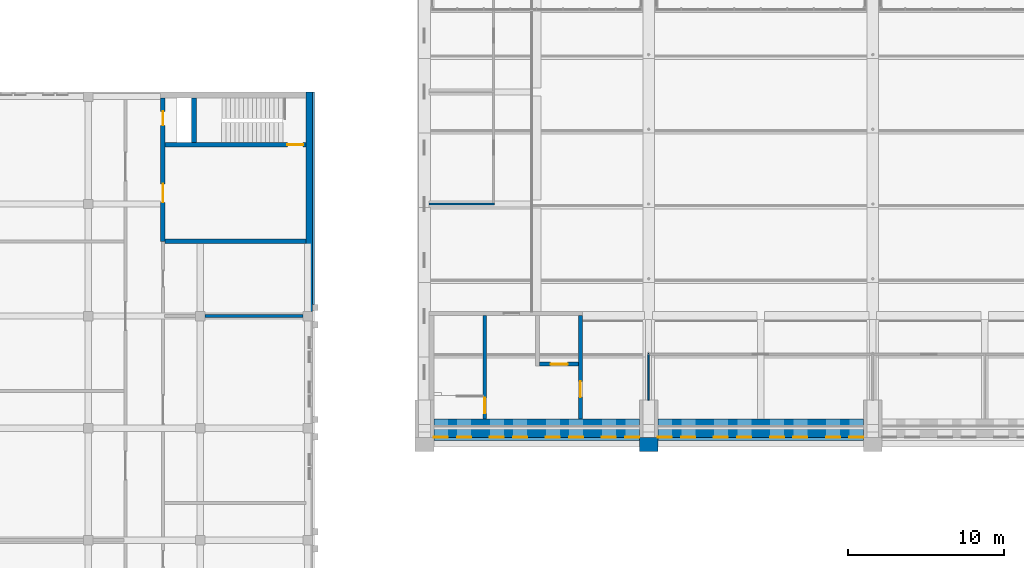
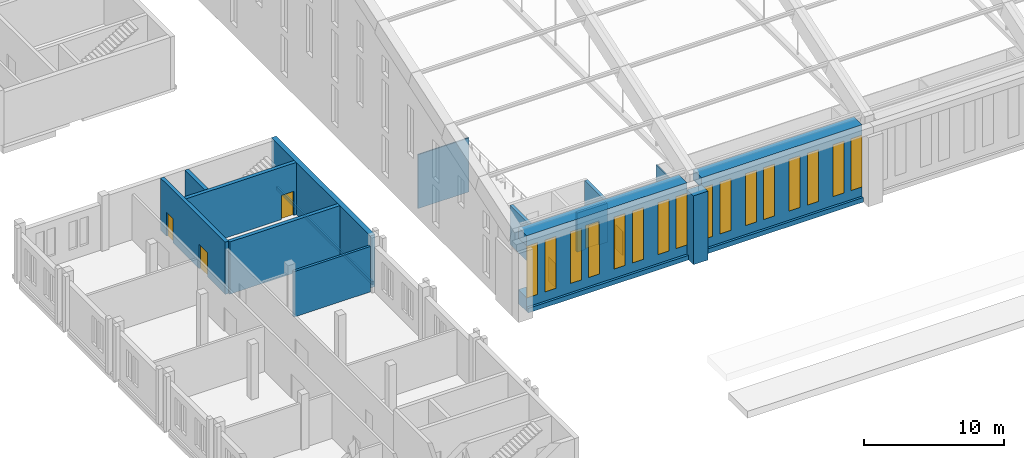
# One storey, part 123 of 149: 17 walls, 16 windows, 6 doors, 22 openings.
"""IFC4 building model written with IfcOpenShell, lengths in metres."""

from ifc_helpers import new_model, si_unit, direction, frame, frame_2d, origin, place, context, subcontext, project, spatial, rectangle, extrude, material, layer, layer_set, type_object, element, fill, save


model = new_model("IFC4")

# Units and contexts
model_context = context("Model", 3, precision=1e-05, world=origin(), true_north=direction((0.0, 1.0)))
body_context = subcontext(model_context, "Body", "Model", "MODEL_VIEW")
ifc_project = project(units=[si_unit("LENGTHUNIT", "METRE"), si_unit("AREAUNIT", "SQUARE_METRE"), si_unit("VOLUMEUNIT", "CUBIC_METRE"), si_unit("PLANEANGLEUNIT", "RADIAN"), si_unit("MASSUNIT", "GRAM", prefix="KILO")], contexts=[model_context])

# Site, building, storey
site_placement = place(None, origin())
site = spatial("IfcSite", under=ifc_project, at=site_placement, CompositionType="ELEMENT")
building_placement = place(site_placement, origin())
building = spatial("IfcBuilding", under=site, at=building_placement, Name="Alderwick Market Hall", CompositionType="ELEMENT")
storey_placement = place(building_placement, frame((0.0, 0.0, 9.60009765625)))
storey = spatial("IfcBuildingStorey", under=building, at=storey_placement, Name="L01", CompositionType="ELEMENT", Elevation=9.60009765625)

# Walls
ifc_material_1 = material(Name="Cast stone 5000 psi", Category="masonry")
ifc_layer_1 = layer(ifc_material_1, 0.14990234375)
ifc_layer_set_1 = layer_set([ifc_layer_1], Name="Cast stone 5000 psi")
wall_type_1 = type_object("IfcWallType", Name="B Cast Stone String Course 150", PredefinedType="SOLIDWALL", material=ifc_layer_set_1)
wall_1_placement = place(storey_placement, frame((43.27490234375, 58.35009765625, -0.150146484375), z_axis=(0.0, 0.0, 1.0), x_axis=(0.0, 1.0, 0.0)))
element("IfcWall", 1, at=wall_1_placement, inside=storey, type_object=wall_type_1, Name="B.S.string.E.08", PredefinedType="SOLIDWALL", context=body_context, shape_type="SweptSolid", body=[
    extrude(rectangle(XDim=13.64990234375, YDim=0.14990234375, at=frame_2d((6.824951171875, 0.0))), origin(), (0.0, 0.0, 1.0), 0.300048828125),
])
ifc_material_2 = material(Name="Concrete masonry 3000 psi", Category="masonry")
ifc_layer_2 = layer(ifc_material_2, 0.199951171875)
ifc_layer_set_2 = layer_set([ifc_layer_2], Name="Concrete masonry 3000 psi")
wall_type_2 = type_object("IfcWallType", Name="B Masonry Partition 200", PredefinedType="PARTITIONING", material=ifc_layer_set_2)
wall_2_placement = place(storey_placement, frame((36.300048828125, 57.60009765625, 0.0), z_axis=(0.0, 0.0, 1.0), x_axis=(1.0, 0.0, 0.0)))
element("IfcWall", 2, at=wall_2_placement, inside=storey, type_object=wall_type_2, Name="B.S.wall.L01.012", PredefinedType="PARTITIONING", context=body_context, shape_type="SweptSolid", body=[
    extrude(rectangle(XDim=6.300048828125, YDim=0.199951171875, at=frame_2d((3.14990234375, 0.0))), origin(), (0.0, 0.0, 1.0), 3.949951171875),
])
ifc_material_3 = material(Name="Concrete 5000 psi (f'c 35 MPa)", Category="concrete")
ifc_layer_3 = layer(ifc_material_3, 0.39990234375)
ifc_layer_set_3 = layer_set([ifc_layer_3], Name="Concrete 5000 psi (f'c 35 MPa)")
wall_type_3 = type_object("IfcWallType", Name="B RC Core Facade Wall 400", PredefinedType="SHEAR", material=ifc_layer_set_3)
wall_3_placement = place(storey_placement, frame((43.0, 57.89990234375, 0.0), z_axis=(0.0, 0.0, 1.0), x_axis=(0.0, 1.0, 0.0)))
element("IfcWall", 3, at=wall_3_placement, inside=storey, type_object=wall_type_3, Name="B.S.wall.L01.034", PredefinedType="SHEAR", context=body_context, shape_type="SweptSolid", body=[
    extrude(rectangle(XDim=14.10009765625, YDim=0.39990234375, at=frame_2d((7.050048828125, 0.0))), origin(), (0.0, 0.0, 1.0), 4.5498046875),
])
ifc_layer_4 = layer(ifc_material_3, 0.300048828125)
ifc_layer_set_4 = layer_set([ifc_layer_4], Name="Concrete 5000 psi (f'c 35 MPa)")
wall_type_4 = type_object("IfcWallType", Name="B RC Core Wall 300", PredefinedType="SHEAR", material=ifc_layer_set_4)
wall_4_placement = place(storey_placement, frame((33.75, 62.39990234375, 0.0), z_axis=(0.0, 0.0, 1.0), x_axis=(1.0, 0.0, 0.0)))
element("IfcWall", 4, at=wall_4_placement, inside=storey, type_object=wall_type_4, Name="B.S.wall.L01.014", PredefinedType="SHEAR", context=body_context, shape_type="SweptSolid", body=[
    extrude(rectangle(XDim=9.050048828125, YDim=0.300048828125, at=frame_2d((4.52490234375, 0.0))), origin(), (0.0, 0.0, 1.0), 4.5498046875),
])

# Wall, opening, door
wall_5_placement = place(storey_placement, frame((33.75, 68.60009765625, 0.0), z_axis=(0.0, 0.0, 1.0), x_axis=(1.0, 0.0, 0.0)))
wall_5 = element("IfcWall", 5, at=wall_5_placement, inside=storey, type_object=wall_type_4, Name="B.S.wall.L01.015", PredefinedType="SHEAR", context=body_context, shape_type="SweptSolid", body=[
    extrude(rectangle(XDim=9.050048828125, YDim=0.300048828125, at=frame_2d((4.52490234375, 0.0))), origin(), (0.0, 0.0, 1.0), 4.5498046875),
])
opening_1_placement = place(wall_5_placement, frame((7.85009765625, 0.0, 0.0)))
opening_1 = element("IfcOpeningElement", 6, at=opening_1_placement, cuts=wall_5, Name="Opening B-D125", PredefinedType="OPENING", context=body_context, shape_type="SweptSolid", body=[
    extrude(rectangle(XDim=1.0, YDim=2.10009765625, at=frame_2d((0.5, 1.050048828125))), frame((0.0, 0.159912109375, 0.0), z_axis=(0.0, -1.0, 0.0), x_axis=(1.0, 0.0, 0.0)), (0.0, 0.0, 1.0), 0.320068359375),
])
ifc_material_4 = material(Name="Hollow metal fire door and frame")
door_type_1 = type_object("IfcDoorType", Name="B Fire Door 1000x2100", OperationType="SINGLE_SWING_LEFT", PredefinedType="DOOR", material=ifc_material_4)
door_1_placement = place(opening_1_placement, origin())
door_1 = element("IfcDoor", 7, at=door_1_placement, inside=storey, type_object=door_type_1, Name="Stair S-2 lobby door", OperationType="SINGLE_SWING_LEFT", OverallHeight=2.10009765625, OverallWidth=1.0, PredefinedType="DOOR", context=body_context, shape_type="SweptSolid", body=[
    extrude(rectangle(XDim=1.0, YDim=2.10009765625, at=frame_2d((0.5, 1.050048828125))), frame((0.0, 0.02490234375, 0.0), z_axis=(0.0, -1.0, 0.0), x_axis=(1.0, 0.0, 0.0)), (0.0, 0.0, 1.0), 0.050048828125),
])
fill(opening_1, door_1)

# Wall, openings, doors
wall_6_placement = place(storey_placement, frame((33.60009765625, 62.39990234375, 0.0), z_axis=(0.0, 0.0, 1.0), x_axis=(0.0, 1.0, 0.0)))
wall_6 = element("IfcWall", 8, at=wall_6_placement, inside=storey, type_object=wall_type_4, Name="B.S.wall.L01.027", PredefinedType="SHEAR", context=body_context, shape_type="SweptSolid", body=[
    extrude(rectangle(XDim=9.2001953125, YDim=0.300048828125, at=frame_2d((4.60009765625, 0.0))), origin(), (0.0, 0.0, 1.0), 4.5498046875),
])
opening_2_placement = place(wall_6_placement, frame((2.5, 0.0, 0.0)))
opening_2 = element("IfcOpeningElement", 9, at=opening_2_placement, cuts=wall_6, Name="Opening B-D126", PredefinedType="OPENING", context=body_context, shape_type="SweptSolid", body=[
    extrude(rectangle(XDim=1.199951171875, YDim=2.10009765625, at=frame_2d((0.60009765625, 1.050048828125))), frame((0.0, 0.159912109375, 0.0), z_axis=(0.0, -1.0, 0.0), x_axis=(1.0, 0.0, 0.0)), (0.0, 0.0, 1.0), 0.320068359375),
])
opening_3_placement = place(wall_6_placement, frame((7.449951171875, 0.0, 0.0)))
opening_3 = element("IfcOpeningElement", 10, at=opening_3_placement, cuts=wall_6, Name="Opening B-D127", PredefinedType="OPENING", context=body_context, shape_type="SweptSolid", body=[
    extrude(rectangle(XDim=0.89990234375, YDim=2.10009765625, at=frame_2d((0.449951171875, 1.050048828125))), frame((0.0, 0.159912109375, 0.0), z_axis=(0.0, -1.0, 0.0), x_axis=(1.0, 0.0, 0.0)), (0.0, 0.0, 1.0), 0.320068359375),
])
door_type_2 = type_object("IfcDoorType", Name="B Fire Door 1200x2100", OperationType="SINGLE_SWING_LEFT", PredefinedType="DOOR", material=ifc_material_4)
door_2_placement = place(opening_2_placement, origin())
door_2 = element("IfcDoor", 11, at=door_2_placement, inside=storey, type_object=door_type_2, Name="Lobby S-2 corridor door", OperationType="SINGLE_SWING_RIGHT", OverallHeight=2.10009765625, OverallWidth=1.199951171875, PredefinedType="DOOR", context=body_context, shape_type="SweptSolid", body=[
    extrude(rectangle(XDim=1.199951171875, YDim=2.10009765625, at=frame_2d((0.60009765625, 1.050048828125))), frame((0.0, 0.02490234375, 0.0), z_axis=(0.0, -1.0, 0.0), x_axis=(1.0, 0.0, 0.0)), (0.0, 0.0, 1.0), 0.050048828125),
])
fill(opening_2, door_2)
door_type_3 = type_object("IfcDoorType", Name="B Fire Door 900x2100", OperationType="SINGLE_SWING_LEFT", PredefinedType="DOOR", material=ifc_material_4)
door_3_placement = place(opening_3_placement, origin())
door_3 = element("IfcDoor", 12, at=door_3_placement, inside=storey, type_object=door_type_3, Name="Riser S-2 access door", OperationType="SINGLE_SWING_LEFT", OverallHeight=2.10009765625, OverallWidth=0.89990234375, PredefinedType="DOOR", context=body_context, shape_type="SweptSolid", body=[
    extrude(rectangle(XDim=0.89990234375, YDim=2.10009765625, at=frame_2d((0.449951171875, 1.050048828125))), frame((0.0, 0.02490234375, 0.0), z_axis=(0.0, -1.0, 0.0), x_axis=(1.0, 0.0, 0.0)), (0.0, 0.0, 1.0), 0.050048828125),
])
fill(opening_3, door_3)

# Walls
wall_7_placement = place(storey_placement, frame((35.60009765625, 68.75, 0.0), z_axis=(0.0, 0.0, 1.0), x_axis=(0.0, 1.0, 0.0)))
element("IfcWall", 13, at=wall_7_placement, inside=storey, type_object=wall_type_4, Name="B.S.wall.L01.029", PredefinedType="SHEAR", context=body_context, shape_type="SweptSolid", body=[
    extrude(rectangle(XDim=2.85009765625, YDim=0.300048828125, at=frame_2d((1.425048828125, 0.0))), origin(), (0.0, 0.0, 1.0), 4.5498046875),
])
ifc_material_5 = material(Name="Face brick masonry, ASTM C216 grade SW (f'm 17 MPa)", Category="masonry")
ifc_layer_5 = layer(ifc_material_5, 0.89990234375)
ifc_layer_set_5 = layer_set([ifc_layer_5], Name="Face brick masonry, ASTM C216 grade SW (f'm 17 MPa)")
wall_type_5 = type_object("IfcWallType", Name="H Buttress pier 900", PredefinedType="SOLIDWALL", material=ifc_layer_set_5)
wall_8_placement = place(storey_placement, frame((64.199951171875, 49.35009765625, 0.0), z_axis=(0.0, 0.0, 1.0), x_axis=(1.0, 0.0, 0.0)))
element("IfcWall", 14, at=wall_8_placement, inside=storey, type_object=wall_type_5, Name="Buttress pier S2", PredefinedType="SOLIDWALL", context=body_context, shape_type="SweptSolid", body=[
    extrude(rectangle(XDim=1.199951171875, YDim=0.89990234375, at=frame_2d((0.60009765625, 0.0))), origin(), (0.0, 0.0, 1.0), 6.0),
])

# Wall, opening, door
ifc_layer_6 = layer(ifc_material_3, 0.25)
ifc_layer_set_6 = layer_set([ifc_layer_6], Name="Concrete 5000 psi (f'c 35 MPa)")
wall_type_6 = type_object("IfcWallType", Name="H Core wall 250", PredefinedType="SOLIDWALL", material=ifc_layer_set_6)
wall_9_placement = place(storey_placement, frame((60.425048828125, 51.0, 0.0), z_axis=(0.0, 0.0, 1.0), x_axis=(0.0, 1.0, 0.0)))
wall_9 = element("IfcWall", 15, at=wall_9_placement, inside=storey, type_object=wall_type_6, Name="Core wall H-SW", PredefinedType="SOLIDWALL", context=body_context, shape_type="SweptSolid", body=[
    extrude(rectangle(XDim=6.639892578125, YDim=0.25, at=frame_2d((3.31982421875, 0.0))), origin(), (0.0, 0.0, 1.0), 3.39990234375),
])
opening_4_placement = place(wall_9_placement, frame((1.39990234375, 0.0, 0.0)))
opening_4 = element("IfcOpeningElement", 16, at=opening_4_placement, cuts=wall_9, Name="Opening H-D023", PredefinedType="OPENING", context=body_context, shape_type="SweptSolid", body=[
    extrude(rectangle(XDim=1.0, YDim=2.10009765625, at=frame_2d((0.5, 1.050048828125))), frame((0.0, 0.135009765625, 0.0), z_axis=(0.0, -1.0, 0.0), x_axis=(1.0, 0.0, 0.0)), (0.0, 0.0, 1.0), 0.27001953125),
])
ifc_material_6 = material(Name="Steel, fire-rated", Category="steel")
door_type_4 = type_object("IfcDoorType", Name="H Stair door FD90 1000x2100", OperationType="SINGLE_SWING_LEFT", PredefinedType="DOOR", material=ifc_material_6)
door_4_placement = place(opening_4_placement, origin())
door_4 = element("IfcDoor", 17, at=door_4_placement, inside=storey, type_object=door_type_4, Name="Door H-D023", OperationType="SINGLE_SWING_LEFT", OverallHeight=2.10009765625, OverallWidth=1.0, PredefinedType="DOOR", context=body_context, shape_type="SweptSolid", body=[
    extrude(rectangle(XDim=1.0, YDim=2.10009765625, at=frame_2d((0.5, 1.050048828125))), frame((0.0, 0.02490234375, 0.0), z_axis=(0.0, -1.0, 0.0), x_axis=(1.0, 0.0, 0.0)), (0.0, 0.0, 1.0), 0.050048828125),
])
fill(opening_4, door_4)

wall_10_placement = place(storey_placement, frame((54.27490234375, 51.0, 0.0), z_axis=(0.0, 0.0, 1.0), x_axis=(0.0, 1.0, 0.0)))
wall_10 = element("IfcWall", 18, at=wall_10_placement, inside=storey, type_object=wall_type_6, Name="Core wall H-SW", PredefinedType="SOLIDWALL", context=body_context, shape_type="SweptSolid", body=[
    extrude(rectangle(XDim=6.639892578125, YDim=0.25, at=frame_2d((3.31982421875, 0.0))), origin(), (0.0, 0.0, 1.0), 3.39990234375),
])
opening_5_placement = place(wall_10_placement, frame((0.35009765625, 0.0, 0.0)))
opening_5 = element("IfcOpeningElement", 19, at=opening_5_placement, cuts=wall_10, Name="Opening H-D022", PredefinedType="OPENING", context=body_context, shape_type="SweptSolid", body=[
    extrude(rectangle(XDim=1.0, YDim=2.10009765625, at=frame_2d((0.5, 1.050048828125))), frame((0.0, 0.135009765625, 0.0), z_axis=(0.0, -1.0, 0.0), x_axis=(1.0, 0.0, 0.0)), (0.0, 0.0, 1.0), 0.27001953125),
])
door_5_placement = place(opening_5_placement, origin())
door_5 = element("IfcDoor", 20, at=door_5_placement, inside=storey, type_object=door_type_4, Name="Door H-D022", OperationType="SINGLE_SWING_LEFT", OverallHeight=2.10009765625, OverallWidth=1.0, PredefinedType="DOOR", context=body_context, shape_type="SweptSolid", body=[
    extrude(rectangle(XDim=1.0, YDim=2.10009765625, at=frame_2d((0.5, 1.050048828125))), frame((0.0, 0.02490234375, 0.0), z_axis=(0.0, -1.0, 0.0), x_axis=(1.0, 0.0, 0.0)), (0.0, 0.0, 1.0), 0.050048828125),
])
fill(opening_5, door_5)

wall_11_placement = place(storey_placement, frame((57.800048828125, 54.514892578125, 0.0), z_axis=(0.0, 0.0, 1.0), x_axis=(1.0, 0.0, 0.0)))
wall_11 = element("IfcWall", 21, at=wall_11_placement, inside=storey, type_object=wall_type_6, Name="Core wall H-SW", PredefinedType="SOLIDWALL", context=body_context, shape_type="SweptSolid", body=[
    extrude(rectangle(XDim=2.5, YDim=0.25, at=frame_2d((1.25, 0.0))), origin(), (0.0, 0.0, 1.0), 3.39990234375),
])
opening_6_placement = place(wall_11_placement, frame((0.699951171875, 0.0, 0.0)))
opening_6 = element("IfcOpeningElement", 22, at=opening_6_placement, cuts=wall_11, Name="Opening H-LD03", PredefinedType="OPENING", context=body_context, shape_type="SweptSolid", body=[
    extrude(rectangle(XDim=1.10009765625, YDim=2.10009765625, at=frame_2d((0.550048828125, 1.050048828125))), frame((0.0, 0.135009765625, 0.0), z_axis=(0.0, -1.0, 0.0), x_axis=(1.0, 0.0, 0.0)), (0.0, 0.0, 1.0), 0.27001953125),
])
ifc_material_7 = material(Name="Stainless steel", Category="steel")
door_type_5 = type_object("IfcDoorType", Name="H Lift landing door 1100x2100", OperationType="SLIDING_TO_LEFT", PredefinedType="DOOR", material=ifc_material_7)
door_6_placement = place(opening_6_placement, origin())
door_6 = element("IfcDoor", 23, at=door_6_placement, inside=storey, type_object=door_type_5, Name="Landing door H-LD03", OperationType="SLIDING_TO_LEFT", OverallHeight=2.10009765625, OverallWidth=1.10009765625, PredefinedType="DOOR", context=body_context, shape_type="SweptSolid", body=[
    extrude(rectangle(XDim=1.10009765625, YDim=2.10009765625, at=frame_2d((0.550048828125, 1.050048828125))), frame((0.0, 0.02490234375, 0.0), z_axis=(0.0, -1.0, 0.0), x_axis=(1.0, 0.0, 0.0)), (0.0, 0.0, 1.0), 0.050048828125),
])
fill(opening_6, door_6)

# Wall, openings, windows
ifc_layer_7 = layer(ifc_material_3, 1.199951171875)
ifc_layer_set_7 = layer_set([ifc_layer_7], Name="Concrete 5000 psi (f'c 35 MPa)")
wall_type_7 = type_object("IfcWallType", Name="H Long wall 1200", PredefinedType="SOLIDWALL", material=ifc_layer_set_7)
wall_12_placement = place(storey_placement, frame((51.0, 50.39990234375, 0.0), z_axis=(0.0, 0.0, 1.0), x_axis=(1.0, 0.0, 0.0)))
wall_12 = element("IfcWall", 24, at=wall_12_placement, inside=storey, type_object=wall_type_7, Name="Long wall S L01 1", PredefinedType="SOLIDWALL", context=body_context, shape_type="SweptSolid", body=[
    extrude(rectangle(XDim=13.199951171875, YDim=1.199951171875, at=frame_2d((6.60009765625, 0.0))), origin(), (0.0, 0.0, 1.0), 6.599853515625),
])
opening_7_placement = place(wall_12_placement, frame((0.0, 0.0, 1.199951171875)))
opening_7 = element("IfcOpeningElement", 25, at=opening_7_placement, cuts=wall_12, Name="Opening H-W053", PredefinedType="OPENING", context=body_context, shape_type="SweptSolid", body=[
    extrude(rectangle(XDim=0.89990234375, YDim=4.5, at=frame_2d((0.449951171875, 2.25))), frame((0.0, 0.60986328125, 0.0), z_axis=(0.0, -1.0, 0.0), x_axis=(1.0, 0.0, 0.0)), (0.0, 0.0, 1.0), 1.219970703125),
])
opening_8_placement = place(wall_12_placement, frame((1.5, 0.0, 1.199951171875)))
opening_8 = element("IfcOpeningElement", 26, at=opening_8_placement, cuts=wall_12, Name="Opening H-W054", PredefinedType="OPENING", context=body_context, shape_type="SweptSolid", body=[
    extrude(rectangle(XDim=0.89990234375, YDim=4.5, at=frame_2d((0.449951171875, 2.25))), frame((0.0, 0.60986328125, 0.0), z_axis=(0.0, -1.0, 0.0), x_axis=(1.0, 0.0, 0.0)), (0.0, 0.0, 1.0), 1.219970703125),
])
opening_9_placement = place(wall_12_placement, frame((3.60009765625, 0.0, 1.199951171875)))
opening_9 = element("IfcOpeningElement", 27, at=opening_9_placement, cuts=wall_12, Name="Opening H-W055", PredefinedType="OPENING", context=body_context, shape_type="SweptSolid", body=[
    extrude(rectangle(XDim=0.89990234375, YDim=4.5, at=frame_2d((0.449951171875, 2.25))), frame((0.0, 0.60986328125, 0.0), z_axis=(0.0, -1.0, 0.0), x_axis=(1.0, 0.0, 0.0)), (0.0, 0.0, 1.0), 1.219970703125),
])
opening_10_placement = place(wall_12_placement, frame((5.10009765625, 0.0, 1.199951171875)))
opening_10 = element("IfcOpeningElement", 28, at=opening_10_placement, cuts=wall_12, Name="Opening H-W056", PredefinedType="OPENING", context=body_context, shape_type="SweptSolid", body=[
    extrude(rectangle(XDim=0.89990234375, YDim=4.5, at=frame_2d((0.449951171875, 2.25))), frame((0.0, 0.60986328125, 0.0), z_axis=(0.0, -1.0, 0.0), x_axis=(1.0, 0.0, 0.0)), (0.0, 0.0, 1.0), 1.219970703125),
])
opening_11_placement = place(wall_12_placement, frame((7.199951171875, 0.0, 1.199951171875)))
opening_11 = element("IfcOpeningElement", 29, at=opening_11_placement, cuts=wall_12, Name="Opening H-W057", PredefinedType="OPENING", context=body_context, shape_type="SweptSolid", body=[
    extrude(rectangle(XDim=0.89990234375, YDim=4.5, at=frame_2d((0.449951171875, 2.25))), frame((0.0, 0.60986328125, 0.0), z_axis=(0.0, -1.0, 0.0), x_axis=(1.0, 0.0, 0.0)), (0.0, 0.0, 1.0), 1.219970703125),
])
opening_12_placement = place(wall_12_placement, frame((8.699951171875, 0.0, 1.199951171875)))
opening_12 = element("IfcOpeningElement", 30, at=opening_12_placement, cuts=wall_12, Name="Opening H-W058", PredefinedType="OPENING", context=body_context, shape_type="SweptSolid", body=[
    extrude(rectangle(XDim=0.89990234375, YDim=4.5, at=frame_2d((0.449951171875, 2.25))), frame((0.0, 0.60986328125, 0.0), z_axis=(0.0, -1.0, 0.0), x_axis=(1.0, 0.0, 0.0)), (0.0, 0.0, 1.0), 1.219970703125),
])
opening_13_placement = place(wall_12_placement, frame((10.800048828125, 0.0, 1.199951171875)))
opening_13 = element("IfcOpeningElement", 31, at=opening_13_placement, cuts=wall_12, Name="Opening H-W059", PredefinedType="OPENING", context=body_context, shape_type="SweptSolid", body=[
    extrude(rectangle(XDim=0.89990234375, YDim=4.5, at=frame_2d((0.449951171875, 2.25))), frame((0.0, 0.60986328125, 0.0), z_axis=(0.0, -1.0, 0.0), x_axis=(1.0, 0.0, 0.0)), (0.0, 0.0, 1.0), 1.219970703125),
])
opening_14_placement = place(wall_12_placement, frame((12.300048828125, 0.0, 1.199951171875)))
opening_14 = element("IfcOpeningElement", 32, at=opening_14_placement, cuts=wall_12, Name="Opening H-W060", PredefinedType="OPENING", context=body_context, shape_type="SweptSolid", body=[
    extrude(rectangle(XDim=0.89990234375, YDim=4.5, at=frame_2d((0.449951171875, 2.25))), frame((0.0, 0.60986328125, 0.0), z_axis=(0.0, -1.0, 0.0), x_axis=(1.0, 0.0, 0.0)), (0.0, 0.0, 1.0), 1.219970703125),
])
ifc_material_8 = material(Name="Aluminium frame with insulated glass", Category="aluminium")
window_type = type_object("IfcWindowType", Name="H Window 900x4500", PartitioningType="SINGLE_PANEL", PredefinedType="WINDOW", material=ifc_material_8)
window_1_placement = place(opening_7_placement, origin())
window_1 = element("IfcWindow", 33, at=window_1_placement, inside=storey, type_object=window_type, Name="Window H-W053", OverallHeight=4.5, OverallWidth=0.89990234375, PartitioningType="SINGLE_PANEL", PredefinedType="WINDOW", context=body_context, shape_type="SweptSolid", body=[
    extrude(rectangle(XDim=0.89990234375, YDim=4.5, at=frame_2d((0.449951171875, 2.25))), frame((0.0, -0.550048828125, 0.0), z_axis=(0.0, -1.0, 0.0), x_axis=(1.0, 0.0, 0.0)), (0.0, 0.0, 1.0), 0.06005859375),
])
fill(opening_7, window_1)
window_2_placement = place(opening_8_placement, origin())
window_2 = element("IfcWindow", 34, at=window_2_placement, inside=storey, type_object=window_type, Name="Window H-W054", OverallHeight=4.5, OverallWidth=0.89990234375, PartitioningType="SINGLE_PANEL", PredefinedType="WINDOW", context=body_context, shape_type="SweptSolid", body=[
    extrude(rectangle(XDim=0.89990234375, YDim=4.5, at=frame_2d((0.449951171875, 2.25))), frame((0.0, -0.550048828125, 0.0), z_axis=(0.0, -1.0, 0.0), x_axis=(1.0, 0.0, 0.0)), (0.0, 0.0, 1.0), 0.06005859375),
])
fill(opening_8, window_2)
window_3_placement = place(opening_9_placement, origin())
window_3 = element("IfcWindow", 35, at=window_3_placement, inside=storey, type_object=window_type, Name="Window H-W055", OverallHeight=4.5, OverallWidth=0.89990234375, PartitioningType="SINGLE_PANEL", PredefinedType="WINDOW", context=body_context, shape_type="SweptSolid", body=[
    extrude(rectangle(XDim=0.89990234375, YDim=4.5, at=frame_2d((0.449951171875, 2.25))), frame((0.0, -0.550048828125, 0.0), z_axis=(0.0, -1.0, 0.0), x_axis=(1.0, 0.0, 0.0)), (0.0, 0.0, 1.0), 0.06005859375),
])
fill(opening_9, window_3)
window_4_placement = place(opening_10_placement, origin())
window_4 = element("IfcWindow", 36, at=window_4_placement, inside=storey, type_object=window_type, Name="Window H-W056", OverallHeight=4.5, OverallWidth=0.89990234375, PartitioningType="SINGLE_PANEL", PredefinedType="WINDOW", context=body_context, shape_type="SweptSolid", body=[
    extrude(rectangle(XDim=0.89990234375, YDim=4.5, at=frame_2d((0.449951171875, 2.25))), frame((0.0, -0.550048828125, 0.0), z_axis=(0.0, -1.0, 0.0), x_axis=(1.0, 0.0, 0.0)), (0.0, 0.0, 1.0), 0.06005859375),
])
fill(opening_10, window_4)
window_5_placement = place(opening_11_placement, origin())
window_5 = element("IfcWindow", 37, at=window_5_placement, inside=storey, type_object=window_type, Name="Window H-W057", OverallHeight=4.5, OverallWidth=0.89990234375, PartitioningType="SINGLE_PANEL", PredefinedType="WINDOW", context=body_context, shape_type="SweptSolid", body=[
    extrude(rectangle(XDim=0.89990234375, YDim=4.5, at=frame_2d((0.449951171875, 2.25))), frame((0.0, -0.550048828125, 0.0), z_axis=(0.0, -1.0, 0.0), x_axis=(1.0, 0.0, 0.0)), (0.0, 0.0, 1.0), 0.06005859375),
])
fill(opening_11, window_5)
window_6_placement = place(opening_12_placement, origin())
window_6 = element("IfcWindow", 38, at=window_6_placement, inside=storey, type_object=window_type, Name="Window H-W058", OverallHeight=4.5, OverallWidth=0.89990234375, PartitioningType="SINGLE_PANEL", PredefinedType="WINDOW", context=body_context, shape_type="SweptSolid", body=[
    extrude(rectangle(XDim=0.89990234375, YDim=4.5, at=frame_2d((0.449951171875, 2.25))), frame((0.0, -0.550048828125, 0.0), z_axis=(0.0, -1.0, 0.0), x_axis=(1.0, 0.0, 0.0)), (0.0, 0.0, 1.0), 0.06005859375),
])
fill(opening_12, window_6)
window_7_placement = place(opening_13_placement, origin())
window_7 = element("IfcWindow", 39, at=window_7_placement, inside=storey, type_object=window_type, Name="Window H-W059", OverallHeight=4.5, OverallWidth=0.89990234375, PartitioningType="SINGLE_PANEL", PredefinedType="WINDOW", context=body_context, shape_type="SweptSolid", body=[
    extrude(rectangle(XDim=0.89990234375, YDim=4.5, at=frame_2d((0.449951171875, 2.25))), frame((0.0, -0.550048828125, 0.0), z_axis=(0.0, -1.0, 0.0), x_axis=(1.0, 0.0, 0.0)), (0.0, 0.0, 1.0), 0.06005859375),
])
fill(opening_13, window_7)
window_8_placement = place(opening_14_placement, origin())
window_8 = element("IfcWindow", 40, at=window_8_placement, inside=storey, type_object=window_type, Name="Window H-W060", OverallHeight=4.5, OverallWidth=0.89990234375, PartitioningType="SINGLE_PANEL", PredefinedType="WINDOW", context=body_context, shape_type="SweptSolid", body=[
    extrude(rectangle(XDim=0.89990234375, YDim=4.5, at=frame_2d((0.449951171875, 2.25))), frame((0.0, -0.550048828125, 0.0), z_axis=(0.0, -1.0, 0.0), x_axis=(1.0, 0.0, 0.0)), (0.0, 0.0, 1.0), 0.06005859375),
])
fill(opening_14, window_8)

wall_13_placement = place(storey_placement, frame((65.39990234375, 50.39990234375, 0.0), z_axis=(0.0, 0.0, 1.0), x_axis=(1.0, 0.0, 0.0)))
wall_13 = element("IfcWall", 41, at=wall_13_placement, inside=storey, type_object=wall_type_7, Name="Long wall S L01 2", PredefinedType="SOLIDWALL", context=body_context, shape_type="SweptSolid", body=[
    extrude(rectangle(XDim=13.2001953125, YDim=1.199951171875, at=frame_2d((6.60009765625, 0.0))), origin(), (0.0, 0.0, 1.0), 6.599853515625),
])
opening_15_placement = place(wall_13_placement, frame((0.0, 0.0, 1.199951171875)))
opening_15 = element("IfcOpeningElement", 42, at=opening_15_placement, cuts=wall_13, Name="Opening H-W061", PredefinedType="OPENING", context=body_context, shape_type="SweptSolid", body=[
    extrude(rectangle(XDim=0.89990234375, YDim=4.5, at=frame_2d((0.449951171875, 2.25))), frame((0.0, 0.60986328125, 0.0), z_axis=(0.0, -1.0, 0.0), x_axis=(1.0, 0.0, 0.0)), (0.0, 0.0, 1.0), 1.219970703125),
])
opening_16_placement = place(wall_13_placement, frame((1.5, 0.0, 1.199951171875)))
opening_16 = element("IfcOpeningElement", 43, at=opening_16_placement, cuts=wall_13, Name="Opening H-W062", PredefinedType="OPENING", context=body_context, shape_type="SweptSolid", body=[
    extrude(rectangle(XDim=0.89990234375, YDim=4.5, at=frame_2d((0.449951171875, 2.25))), frame((0.0, 0.60986328125, 0.0), z_axis=(0.0, -1.0, 0.0), x_axis=(1.0, 0.0, 0.0)), (0.0, 0.0, 1.0), 1.219970703125),
])
opening_17_placement = place(wall_13_placement, frame((3.60009765625, 0.0, 1.199951171875)))
opening_17 = element("IfcOpeningElement", 44, at=opening_17_placement, cuts=wall_13, Name="Opening H-W063", PredefinedType="OPENING", context=body_context, shape_type="SweptSolid", body=[
    extrude(rectangle(XDim=0.89990234375, YDim=4.5, at=frame_2d((0.449951171875, 2.25))), frame((0.0, 0.60986328125, 0.0), z_axis=(0.0, -1.0, 0.0), x_axis=(1.0, 0.0, 0.0)), (0.0, 0.0, 1.0), 1.219970703125),
])
opening_18_placement = place(wall_13_placement, frame((5.10009765625, 0.0, 1.199951171875)))
opening_18 = element("IfcOpeningElement", 45, at=opening_18_placement, cuts=wall_13, Name="Opening H-W064", PredefinedType="OPENING", context=body_context, shape_type="SweptSolid", body=[
    extrude(rectangle(XDim=0.89990234375, YDim=4.5, at=frame_2d((0.449951171875, 2.25))), frame((0.0, 0.60986328125, 0.0), z_axis=(0.0, -1.0, 0.0), x_axis=(1.0, 0.0, 0.0)), (0.0, 0.0, 1.0), 1.219970703125),
])
opening_19_placement = place(wall_13_placement, frame((7.199951171875, 0.0, 1.199951171875)))
opening_19 = element("IfcOpeningElement", 46, at=opening_19_placement, cuts=wall_13, Name="Opening H-W065", PredefinedType="OPENING", context=body_context, shape_type="SweptSolid", body=[
    extrude(rectangle(XDim=0.89990234375, YDim=4.5, at=frame_2d((0.449951171875, 2.25))), frame((0.0, 0.60986328125, 0.0), z_axis=(0.0, -1.0, 0.0), x_axis=(1.0, 0.0, 0.0)), (0.0, 0.0, 1.0), 1.219970703125),
])
opening_20_placement = place(wall_13_placement, frame((8.699951171875, 0.0, 1.199951171875)))
opening_20 = element("IfcOpeningElement", 47, at=opening_20_placement, cuts=wall_13, Name="Opening H-W066", PredefinedType="OPENING", context=body_context, shape_type="SweptSolid", body=[
    extrude(rectangle(XDim=0.89990234375, YDim=4.5, at=frame_2d((0.449951171875, 2.25))), frame((0.0, 0.60986328125, 0.0), z_axis=(0.0, -1.0, 0.0), x_axis=(1.0, 0.0, 0.0)), (0.0, 0.0, 1.0), 1.219970703125),
])
opening_21_placement = place(wall_13_placement, frame((10.800048828125, 0.0, 1.199951171875)))
opening_21 = element("IfcOpeningElement", 48, at=opening_21_placement, cuts=wall_13, Name="Opening H-W067", PredefinedType="OPENING", context=body_context, shape_type="SweptSolid", body=[
    extrude(rectangle(XDim=0.89990234375, YDim=4.5, at=frame_2d((0.449951171875, 2.25))), frame((0.0, 0.60986328125, 0.0), z_axis=(0.0, -1.0, 0.0), x_axis=(1.0, 0.0, 0.0)), (0.0, 0.0, 1.0), 1.219970703125),
])
opening_22_placement = place(wall_13_placement, frame((12.300048828125, 0.0, 1.199951171875)))
opening_22 = element("IfcOpeningElement", 49, at=opening_22_placement, cuts=wall_13, Name="Opening H-W068", PredefinedType="OPENING", context=body_context, shape_type="SweptSolid", body=[
    extrude(rectangle(XDim=0.89990234375, YDim=4.5, at=frame_2d((0.449951171875, 2.25))), frame((0.0, 0.60986328125, 0.0), z_axis=(0.0, -1.0, 0.0), x_axis=(1.0, 0.0, 0.0)), (0.0, 0.0, 1.0), 1.219970703125),
])
window_9_placement = place(opening_15_placement, origin())
window_9 = element("IfcWindow", 50, at=window_9_placement, inside=storey, type_object=window_type, Name="Window H-W061", OverallHeight=4.5, OverallWidth=0.89990234375, PartitioningType="SINGLE_PANEL", PredefinedType="WINDOW", context=body_context, shape_type="SweptSolid", body=[
    extrude(rectangle(XDim=0.89990234375, YDim=4.5, at=frame_2d((0.449951171875, 2.25))), frame((0.0, -0.550048828125, 0.0), z_axis=(0.0, -1.0, 0.0), x_axis=(1.0, 0.0, 0.0)), (0.0, 0.0, 1.0), 0.06005859375),
])
fill(opening_15, window_9)
window_10_placement = place(opening_16_placement, origin())
window_10 = element("IfcWindow", 51, at=window_10_placement, inside=storey, type_object=window_type, Name="Window H-W062", OverallHeight=4.5, OverallWidth=0.89990234375, PartitioningType="SINGLE_PANEL", PredefinedType="WINDOW", context=body_context, shape_type="SweptSolid", body=[
    extrude(rectangle(XDim=0.89990234375, YDim=4.5, at=frame_2d((0.449951171875, 2.25))), frame((0.0, -0.550048828125, 0.0), z_axis=(0.0, -1.0, 0.0), x_axis=(1.0, 0.0, 0.0)), (0.0, 0.0, 1.0), 0.06005859375),
])
fill(opening_16, window_10)
window_11_placement = place(opening_17_placement, origin())
window_11 = element("IfcWindow", 52, at=window_11_placement, inside=storey, type_object=window_type, Name="Window H-W063", OverallHeight=4.5, OverallWidth=0.89990234375, PartitioningType="SINGLE_PANEL", PredefinedType="WINDOW", context=body_context, shape_type="SweptSolid", body=[
    extrude(rectangle(XDim=0.89990234375, YDim=4.5, at=frame_2d((0.449951171875, 2.25))), frame((0.0, -0.550048828125, 0.0), z_axis=(0.0, -1.0, 0.0), x_axis=(1.0, 0.0, 0.0)), (0.0, 0.0, 1.0), 0.06005859375),
])
fill(opening_17, window_11)
window_12_placement = place(opening_18_placement, origin())
window_12 = element("IfcWindow", 53, at=window_12_placement, inside=storey, type_object=window_type, Name="Window H-W064", OverallHeight=4.5, OverallWidth=0.89990234375, PartitioningType="SINGLE_PANEL", PredefinedType="WINDOW", context=body_context, shape_type="SweptSolid", body=[
    extrude(rectangle(XDim=0.89990234375, YDim=4.5, at=frame_2d((0.449951171875, 2.25))), frame((0.0, -0.550048828125, 0.0), z_axis=(0.0, -1.0, 0.0), x_axis=(1.0, 0.0, 0.0)), (0.0, 0.0, 1.0), 0.06005859375),
])
fill(opening_18, window_12)
window_13_placement = place(opening_19_placement, origin())
window_13 = element("IfcWindow", 54, at=window_13_placement, inside=storey, type_object=window_type, Name="Window H-W065", OverallHeight=4.5, OverallWidth=0.89990234375, PartitioningType="SINGLE_PANEL", PredefinedType="WINDOW", context=body_context, shape_type="SweptSolid", body=[
    extrude(rectangle(XDim=0.89990234375, YDim=4.5, at=frame_2d((0.449951171875, 2.25))), frame((0.0, -0.550048828125, 0.0), z_axis=(0.0, -1.0, 0.0), x_axis=(1.0, 0.0, 0.0)), (0.0, 0.0, 1.0), 0.06005859375),
])
fill(opening_19, window_13)
window_14_placement = place(opening_20_placement, origin())
window_14 = element("IfcWindow", 55, at=window_14_placement, inside=storey, type_object=window_type, Name="Window H-W066", OverallHeight=4.5, OverallWidth=0.89990234375, PartitioningType="SINGLE_PANEL", PredefinedType="WINDOW", context=body_context, shape_type="SweptSolid", body=[
    extrude(rectangle(XDim=0.89990234375, YDim=4.5, at=frame_2d((0.449951171875, 2.25))), frame((0.0, -0.550048828125, 0.0), z_axis=(0.0, -1.0, 0.0), x_axis=(1.0, 0.0, 0.0)), (0.0, 0.0, 1.0), 0.06005859375),
])
fill(opening_20, window_14)
window_15_placement = place(opening_21_placement, origin())
window_15 = element("IfcWindow", 56, at=window_15_placement, inside=storey, type_object=window_type, Name="Window H-W067", OverallHeight=4.5, OverallWidth=0.89990234375, PartitioningType="SINGLE_PANEL", PredefinedType="WINDOW", context=body_context, shape_type="SweptSolid", body=[
    extrude(rectangle(XDim=0.89990234375, YDim=4.5, at=frame_2d((0.449951171875, 2.25))), frame((0.0, -0.550048828125, 0.0), z_axis=(0.0, -1.0, 0.0), x_axis=(1.0, 0.0, 0.0)), (0.0, 0.0, 1.0), 0.06005859375),
])
fill(opening_21, window_15)
window_16_placement = place(opening_22_placement, origin())
window_16 = element("IfcWindow", 57, at=window_16_placement, inside=storey, type_object=window_type, Name="Window H-W068", OverallHeight=4.5, OverallWidth=0.89990234375, PartitioningType="SINGLE_PANEL", PredefinedType="WINDOW", context=body_context, shape_type="SweptSolid", body=[
    extrude(rectangle(XDim=0.89990234375, YDim=4.5, at=frame_2d((0.449951171875, 2.25))), frame((0.0, -0.550048828125, 0.0), z_axis=(0.0, -1.0, 0.0), x_axis=(1.0, 0.0, 0.0)), (0.0, 0.0, 1.0), 0.06005859375),
])
fill(opening_22, window_16)

# Walls
ifc_material_9 = material(Name="Gypsum board partition")
ifc_layer_8 = layer(ifc_material_9, 0.10009765625)
ifc_layer_set_8 = layer_set([ifc_layer_8], Name="Gypsum board partition")
wall_type_8 = type_object("IfcWallType", Name="H Partition 100", PredefinedType="PARTITIONING", material=ifc_layer_set_8)
wall_14_placement = place(storey_placement, frame((64.800048828125, 52.199951171875, 0.0), z_axis=(0.0, 0.0, 1.0), x_axis=(0.0, 1.0, 0.0)))
element("IfcWall", 58, at=wall_14_placement, inside=storey, type_object=wall_type_8, Name="Partition", PredefinedType="PARTITIONING", context=body_context, shape_type="SweptSolid", body=[
    extrude(rectangle(XDim=3.0, YDim=0.10009765625, at=frame_2d((1.5, 0.0))), origin(), (0.0, 0.0, 1.0), 4.699951171875),
])
wall_15_placement = place(storey_placement, frame((50.699951171875, 64.800048828125, 0.0), z_axis=(0.0, 0.0, 1.0), x_axis=(1.0, 0.0, 0.0)))
element("IfcWall", 59, at=wall_15_placement, inside=storey, type_object=wall_type_8, Name="Partition", PredefinedType="PARTITIONING", context=body_context, shape_type="SweptSolid", body=[
    extrude(rectangle(XDim=4.199951171875, YDim=0.10009765625, at=frame_2d((2.10009765625, 0.0))), origin(), (0.0, 0.0, 1.0), 4.699951171875),
])
ifc_material_10 = material(Name="Cast stone 5000 psi (f'c 35 MPa), ASTM C1364", Category="masonry")
ifc_layer_9 = layer(ifc_material_10, 0.199951171875)
ifc_layer_set_9 = layer_set([ifc_layer_9], Name="Cast stone 5000 psi (f'c 35 MPa), ASTM C1364")
wall_type_9 = type_object("IfcWallType", Name="H String course 200", PredefinedType="SOLIDWALL", material=ifc_layer_set_9)
wall_16_placement = place(storey_placement, frame((51.0, 49.699951171875, 0.0), z_axis=(0.0, 0.0, 1.0), x_axis=(1.0, 0.0, 0.0)))
element("IfcWall", 60, at=wall_16_placement, inside=storey, type_object=wall_type_9, Name="String course S1", PredefinedType="SOLIDWALL", context=body_context, shape_type="SweptSolid", body=[
    extrude(rectangle(XDim=13.199951171875, YDim=0.199951171875, at=frame_2d((6.60009765625, 0.0))), origin(), (0.0, 0.0, 1.0), 0.39990234375),
])
wall_17_placement = place(storey_placement, frame((65.39990234375, 49.699951171875, 0.0), z_axis=(0.0, 0.0, 1.0), x_axis=(1.0, 0.0, 0.0)))
element("IfcWall", 61, at=wall_17_placement, inside=storey, type_object=wall_type_9, Name="String course S2", PredefinedType="SOLIDWALL", context=body_context, shape_type="SweptSolid", body=[
    extrude(rectangle(XDim=13.2001953125, YDim=0.199951171875, at=frame_2d((6.60009765625, 0.0))), origin(), (0.0, 0.0, 1.0), 0.39990234375),
])

save(model, "model.ifc")
